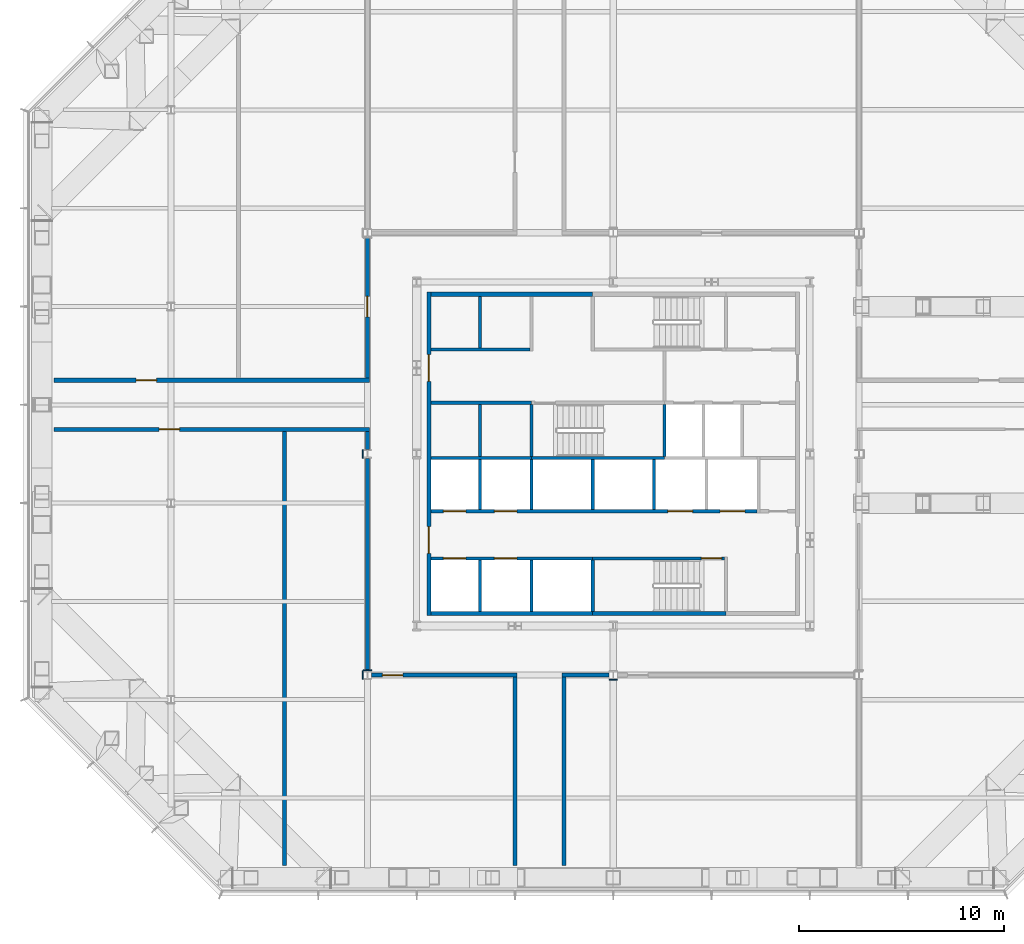
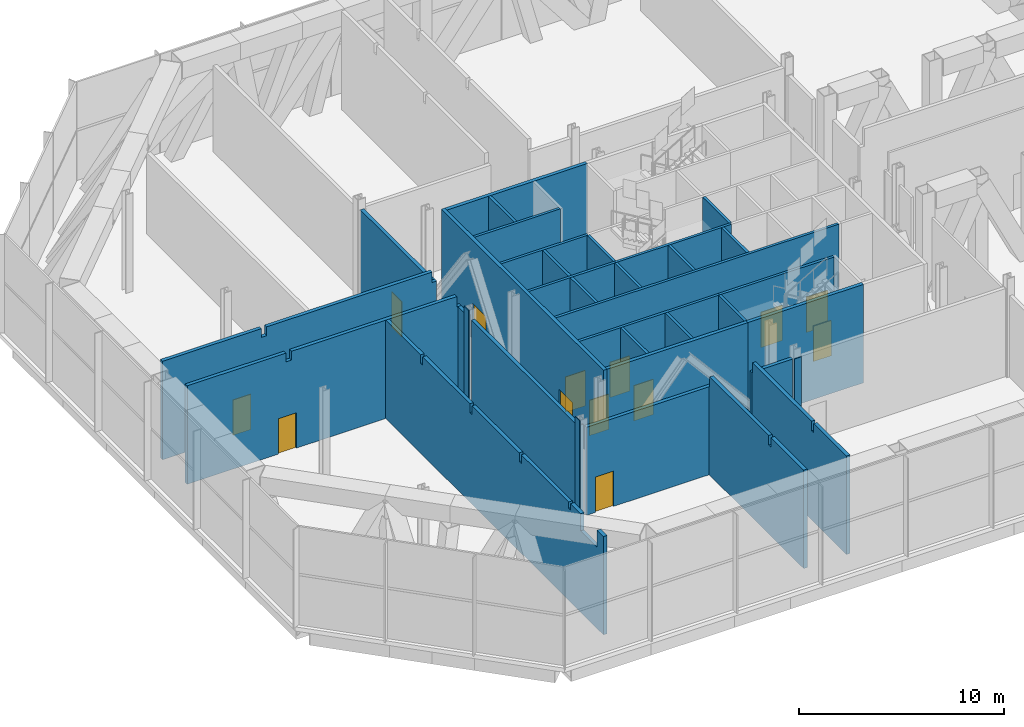
# One storey, part 13 of 17: 36 walls, 13 doors, 13 openings.
"""IFC4 building model written with IfcOpenShell, lengths in metres."""

from ifc_helpers import new_model, si_unit, direction, frame, frame_2d, origin, place, context, subcontext, project, spatial, polyline, rectangle, outline, extrude, material, layer, layer_set, type_object, element, fill, save


model = new_model("IFC4")

# Units and contexts
model_context = context("Model", 3, precision=1e-05, world=origin(), true_north=direction((0.0, 1.0)))
body_context = subcontext(model_context, "Body", "Model", "MODEL_VIEW")
ifc_project = project(units=[si_unit("LENGTHUNIT", "METRE"), si_unit("AREAUNIT", "SQUARE_METRE"), si_unit("VOLUMEUNIT", "CUBIC_METRE"), si_unit("PLANEANGLEUNIT", "RADIAN"), si_unit("MASSUNIT", "GRAM", prefix="KILO")], contexts=[model_context])

# Site, building, storey
site_placement = place(None, origin())
site = spatial("IfcSite", under=ifc_project, at=site_placement, CompositionType="ELEMENT")
building_placement = place(site_placement, origin())
building = spatial("IfcBuilding", under=site, at=building_placement, Name="Cairn Pilgrim Tower", CompositionType="ELEMENT")
storey_placement = place(building_placement, frame((0.0, 0.0, 119.39990234375)))
storey = spatial("IfcBuildingStorey", under=building, at=storey_placement, Name="L29", CompositionType="ELEMENT", Elevation=119.39990234375)

# Walls
ifc_material_1 = material(Name="Concrete C32/40", Category="concrete")
ifc_layer_1 = layer(ifc_material_1, 0.199951171875)
ifc_layer_set_1 = layer_set([ifc_layer_1], Name="CORE OUTER WALL 200 EI 120")
wall_type_1 = type_object("IfcWallType", Name="CORE OUTER WALL 200 EI 120", PredefinedType="SOLIDWALL", material=ifc_layer_set_1)
for number, where, z_axis, x_axis, name in (
    (1, (-1.699951171875, -5.39990234375, 0.0), (0.0, 0.0, 1.0), (1.0, 0.0, 0.0), "CW:L29:H01-1"),
    (2, (-1.699951171875, 10.199951171875, 0.0), (0.0, 0.0, 1.0), (1.0, 0.0, 0.0), "CW:L29:H10-1"),
):
    element("IfcWall", number, at=place(storey_placement, frame(where, z_axis=z_axis, x_axis=x_axis)), inside=storey, type_object=wall_type_1, Name=name, PredefinedType="SOLIDWALL", context=body_context, shape_type="SweptSolid", body=[
        extrude(rectangle(XDim=7.89990234375, YDim=0.199951171875, at=frame_2d((3.949951171875, 0.0))), origin(), (0.0, 0.0, 1.0), 5.85009765625),
    ])

# Wall, openings, doors
wall_1_placement = place(storey_placement, frame((-1.800048828125, -5.5, 0.0), z_axis=(0.0, 0.0, 1.0), x_axis=(0.0, 1.0, 0.0)))
wall_1 = element("IfcWall", 3, at=wall_1_placement, inside=storey, type_object=wall_type_1, Name="CW:L29:V11", PredefinedType="SOLIDWALL", context=body_context, shape_type="SweptSolid", body=[
    extrude(rectangle(XDim=15.800048828125, YDim=0.199951171875, at=frame_2d((7.89990234375, 0.0))), origin(), (0.0, 0.0, 1.0), 5.85009765625),
])
opening_1_placement = place(wall_1_placement, frame((3.050048828125, 0.0, 0.0)))
opening_1 = element("IfcOpeningElement", 4, at=opening_1_placement, cuts=wall_1, Name="Opening CD-W1", PredefinedType="OPENING", context=body_context, shape_type="SweptSolid", body=[
    extrude(rectangle(XDim=1.300048828125, YDim=2.10009765625, at=frame_2d((0.64990234375, 1.050048828125))), frame((0.0, 0.10986328125, 0.0), z_axis=(0.0, -1.0, 0.0), x_axis=(1.0, 0.0, 0.0)), (0.0, 0.0, 1.0), 0.219970703125),
])
opening_2_placement = place(wall_1_placement, frame((11.449951171875, 0.0, 0.0)))
opening_2 = element("IfcOpeningElement", 5, at=opening_2_placement, cuts=wall_1, Name="Opening CD-W2", PredefinedType="OPENING", context=body_context, shape_type="SweptSolid", body=[
    extrude(rectangle(XDim=1.300048828125, YDim=2.10009765625, at=frame_2d((0.64990234375, 1.050048828125))), frame((0.0, 0.10986328125, 0.0), z_axis=(0.0, -1.0, 0.0), x_axis=(1.0, 0.0, 0.0)), (0.0, 0.0, 1.0), 0.219970703125),
])
ifc_material_2 = material(Name="Painted steel", Category="steel")
door_type_1 = type_object("IfcDoorType", Name="CORE LOBBY DOOR 1300x2100", OperationType="DOUBLE_DOOR_SINGLE_SWING", PredefinedType="DOOR", material=ifc_material_2)
door_1_placement = place(opening_1_placement, origin())
door_1 = element("IfcDoor", 6, at=door_1_placement, inside=storey, type_object=door_type_1, Name="CD-W1", OperationType="DOUBLE_DOOR_SINGLE_SWING", OverallHeight=2.10009765625, OverallWidth=1.300048828125, PredefinedType="DOOR", context=body_context, shape_type="SweptSolid", body=[
    extrude(rectangle(XDim=1.300048828125, YDim=2.10009765625, at=frame_2d((0.64990234375, 1.050048828125))), frame((0.0, 0.02490234375, 0.0), z_axis=(0.0, -1.0, 0.0), x_axis=(1.0, 0.0, 0.0)), (0.0, 0.0, 1.0), 0.050048828125),
])
fill(opening_1, door_1)
door_2_placement = place(opening_2_placement, origin())
door_2 = element("IfcDoor", 7, at=door_2_placement, inside=storey, type_object=door_type_1, Name="CD-W2", OperationType="DOUBLE_DOOR_SINGLE_SWING", OverallHeight=2.10009765625, OverallWidth=1.300048828125, PredefinedType="DOOR", context=body_context, shape_type="SweptSolid", body=[
    extrude(rectangle(XDim=1.300048828125, YDim=2.10009765625, at=frame_2d((0.64990234375, 1.050048828125))), frame((0.0, 0.02490234375, 0.0), z_axis=(0.0, -1.0, 0.0), x_axis=(1.0, 0.0, 0.0)), (0.0, 0.0, 1.0), 0.050048828125),
])
fill(opening_2, door_2)

ifc_layer_2 = layer(ifc_material_1, 0.14990234375)
ifc_layer_set_2 = layer_set([ifc_layer_2], Name="CORE SHAFT WALL 150 EI 120")
wall_type_2 = type_object("IfcWallType", Name="CORE SHAFT WALL 150 EI 120", PredefinedType="SOLIDWALL", material=ifc_layer_set_2)
wall_2_placement = place(storey_placement, frame((-1.699951171875, -2.699951171875, 0.0), z_axis=(0.0, 0.0, 1.0), x_axis=(1.0, 0.0, 0.0)))
wall_2 = element("IfcWall", 8, at=wall_2_placement, inside=storey, type_object=wall_type_2, Name="CW:L29:H02-1", PredefinedType="SOLIDWALL", context=body_context, shape_type="SweptSolid", body=[
    extrude(rectangle(XDim=7.89990234375, YDim=0.14990234375, at=frame_2d((3.949951171875, 0.0))), origin(), (0.0, 0.0, 1.0), 5.85009765625),
])
opening_3_placement = place(wall_2_placement, frame((0.60009765625, 0.0, 0.0)))
opening_3 = element("IfcOpeningElement", 9, at=opening_3_placement, cuts=wall_2, Name="Opening LD-LR1", PredefinedType="OPENING", context=body_context, shape_type="SweptSolid", body=[
    extrude(rectangle(XDim=1.10009765625, YDim=2.10009765625, at=frame_2d((0.550048828125, 1.050048828125))), frame((0.0, 0.0849609375, 0.0), z_axis=(0.0, -1.0, 0.0), x_axis=(1.0, 0.0, 0.0)), (0.0, 0.0, 1.0), 0.169921875),
])
opening_4_placement = place(wall_2_placement, frame((3.10009765625, 0.0, 0.0)))
opening_4 = element("IfcOpeningElement", 10, at=opening_4_placement, cuts=wall_2, Name="Opening LD-LR2", PredefinedType="OPENING", context=body_context, shape_type="SweptSolid", body=[
    extrude(rectangle(XDim=1.10009765625, YDim=2.10009765625, at=frame_2d((0.550048828125, 1.050048828125))), frame((0.0, 0.0849609375, 0.0), z_axis=(0.0, -1.0, 0.0), x_axis=(1.0, 0.0, 0.0)), (0.0, 0.0, 1.0), 0.169921875),
])
ifc_material_3 = material(Name="Stainless steel", Category="steel")
door_type_2 = type_object("IfcDoorType", Name="LIFT LANDING DOOR 1100x2100", OperationType="DOUBLE_DOOR_SLIDING", PredefinedType="DOOR", material=ifc_material_3)
door_3_placement = place(opening_3_placement, origin())
door_3 = element("IfcDoor", 11, at=door_3_placement, inside=storey, type_object=door_type_2, Name="LANDING DOOR LR1", OperationType="DOUBLE_DOOR_SLIDING", OverallHeight=2.10009765625, OverallWidth=1.10009765625, PredefinedType="DOOR", context=body_context, shape_type="SweptSolid", body=[
    extrude(rectangle(XDim=1.10009765625, YDim=2.10009765625, at=frame_2d((0.550048828125, 1.050048828125))), frame((0.0, 0.02490234375, 0.0), z_axis=(0.0, -1.0, 0.0), x_axis=(1.0, 0.0, 0.0)), (0.0, 0.0, 1.0), 0.050048828125),
])
fill(opening_3, door_3)
door_4_placement = place(opening_4_placement, origin())
door_4 = element("IfcDoor", 12, at=door_4_placement, inside=storey, type_object=door_type_2, Name="LANDING DOOR LR2", OperationType="DOUBLE_DOOR_SLIDING", OverallHeight=2.10009765625, OverallWidth=1.10009765625, PredefinedType="DOOR", context=body_context, shape_type="SweptSolid", body=[
    extrude(rectangle(XDim=1.10009765625, YDim=2.10009765625, at=frame_2d((0.550048828125, 1.050048828125))), frame((0.0, 0.02490234375, 0.0), z_axis=(0.0, -1.0, 0.0), x_axis=(1.0, 0.0, 0.0)), (0.0, 0.0, 1.0), 0.050048828125),
])
fill(opening_4, door_4)

wall_3_placement = place(storey_placement, frame((-1.699951171875, -0.39990234375, 0.0), z_axis=(0.0, 0.0, 1.0), x_axis=(1.0, 0.0, 0.0)))
wall_3 = element("IfcWall", 13, at=wall_3_placement, inside=storey, type_object=wall_type_2, Name="CW:L29:H03", PredefinedType="SOLIDWALL", context=body_context, shape_type="SweptSolid", body=[
    extrude(rectangle(XDim=15.925048828125, YDim=0.14990234375, at=frame_2d((7.96240234375, 0.0))), origin(), (0.0, 0.0, 1.0), 5.85009765625),
])
opening_5_placement = place(wall_3_placement, frame((0.60009765625, 0.0, 0.0)))
opening_5 = element("IfcOpeningElement", 14, at=opening_5_placement, cuts=wall_3, Name="Opening LD-LR3", PredefinedType="OPENING", context=body_context, shape_type="SweptSolid", body=[
    extrude(rectangle(XDim=1.10009765625, YDim=2.10009765625, at=frame_2d((0.550048828125, 1.050048828125))), frame((0.0, 0.0849609375, 0.0), z_axis=(0.0, -1.0, 0.0), x_axis=(1.0, 0.0, 0.0)), (0.0, 0.0, 1.0), 0.169921875),
])
opening_6_placement = place(wall_3_placement, frame((3.10009765625, 0.0, 0.0)))
opening_6 = element("IfcOpeningElement", 15, at=opening_6_placement, cuts=wall_3, Name="Opening LD-LR4", PredefinedType="OPENING", context=body_context, shape_type="SweptSolid", body=[
    extrude(rectangle(XDim=1.10009765625, YDim=2.10009765625, at=frame_2d((0.550048828125, 1.050048828125))), frame((0.0, 0.0849609375, 0.0), z_axis=(0.0, -1.0, 0.0), x_axis=(1.0, 0.0, 0.0)), (0.0, 0.0, 1.0), 0.169921875),
])
opening_7_placement = place(wall_3_placement, frame((11.574951171875, 0.0, 0.0)))
opening_7 = element("IfcOpeningElement", 16, at=opening_7_placement, cuts=wall_3, Name="Opening LD-SV1", PredefinedType="OPENING", context=body_context, shape_type="SweptSolid", body=[
    extrude(rectangle(XDim=1.199951171875, YDim=2.10009765625, at=frame_2d((0.60009765625, 1.050048828125))), frame((0.0, 0.0849609375, 0.0), z_axis=(0.0, -1.0, 0.0), x_axis=(1.0, 0.0, 0.0)), (0.0, 0.0, 1.0), 0.169921875),
])
opening_8_placement = place(wall_3_placement, frame((14.125, 0.0, 0.0)))
opening_8 = element("IfcOpeningElement", 17, at=opening_8_placement, cuts=wall_3, Name="Opening LD-SV2", PredefinedType="OPENING", context=body_context, shape_type="SweptSolid", body=[
    extrude(rectangle(XDim=1.199951171875, YDim=2.10009765625, at=frame_2d((0.60009765625, 1.050048828125))), frame((0.0, 0.0849609375, 0.0), z_axis=(0.0, -1.0, 0.0), x_axis=(1.0, 0.0, 0.0)), (0.0, 0.0, 1.0), 0.169921875),
])
door_5_placement = place(opening_5_placement, origin())
door_5 = element("IfcDoor", 18, at=door_5_placement, inside=storey, type_object=door_type_2, Name="LANDING DOOR LR3", OperationType="DOUBLE_DOOR_SLIDING", OverallHeight=2.10009765625, OverallWidth=1.10009765625, PredefinedType="DOOR", context=body_context, shape_type="SweptSolid", body=[
    extrude(rectangle(XDim=1.10009765625, YDim=2.10009765625, at=frame_2d((0.550048828125, 1.050048828125))), frame((0.0, 0.02490234375, 0.0), z_axis=(0.0, -1.0, 0.0), x_axis=(1.0, 0.0, 0.0)), (0.0, 0.0, 1.0), 0.050048828125),
])
fill(opening_5, door_5)
door_6_placement = place(opening_6_placement, origin())
door_6 = element("IfcDoor", 19, at=door_6_placement, inside=storey, type_object=door_type_2, Name="LANDING DOOR LR4", OperationType="DOUBLE_DOOR_SLIDING", OverallHeight=2.10009765625, OverallWidth=1.10009765625, PredefinedType="DOOR", context=body_context, shape_type="SweptSolid", body=[
    extrude(rectangle(XDim=1.10009765625, YDim=2.10009765625, at=frame_2d((0.550048828125, 1.050048828125))), frame((0.0, 0.02490234375, 0.0), z_axis=(0.0, -1.0, 0.0), x_axis=(1.0, 0.0, 0.0)), (0.0, 0.0, 1.0), 0.050048828125),
])
fill(opening_6, door_6)
door_type_3 = type_object("IfcDoorType", Name="LIFT LANDING DOOR 1200x2100", OperationType="DOUBLE_DOOR_SLIDING", PredefinedType="DOOR", material=ifc_material_3)
door_7_placement = place(opening_7_placement, origin())
door_7 = element("IfcDoor", 20, at=door_7_placement, inside=storey, type_object=door_type_3, Name="LANDING DOOR SV1", OperationType="DOUBLE_DOOR_SLIDING", OverallHeight=2.10009765625, OverallWidth=1.199951171875, PredefinedType="DOOR", context=body_context, shape_type="SweptSolid", body=[
    extrude(rectangle(XDim=1.199951171875, YDim=2.10009765625, at=frame_2d((0.60009765625, 1.050048828125))), frame((0.0, 0.02490234375, 0.0), z_axis=(0.0, -1.0, 0.0), x_axis=(1.0, 0.0, 0.0)), (0.0, 0.0, 1.0), 0.050048828125),
])
fill(opening_7, door_7)
door_8_placement = place(opening_8_placement, origin())
door_8 = element("IfcDoor", 21, at=door_8_placement, inside=storey, type_object=door_type_3, Name="LANDING DOOR SV2", OperationType="DOUBLE_DOOR_SLIDING", OverallHeight=2.10009765625, OverallWidth=1.199951171875, PredefinedType="DOOR", context=body_context, shape_type="SweptSolid", body=[
    extrude(rectangle(XDim=1.199951171875, YDim=2.10009765625, at=frame_2d((0.60009765625, 1.050048828125))), frame((0.0, 0.02490234375, 0.0), z_axis=(0.0, -1.0, 0.0), x_axis=(1.0, 0.0, 0.0)), (0.0, 0.0, 1.0), 0.050048828125),
])
fill(opening_8, door_8)

# Walls
for number, where, z_axis, x_axis, name in (
    (22, (-1.699951171875, 2.199951171875, 0.0), (0.0, 0.0, 1.0), (1.0, 0.0, 0.0), "CW:L29:H05-1"),
    (23, (-1.699951171875, 4.89990234375, 0.0), (0.0, 0.0, 1.0), (1.0, 0.0, 0.0), "CW:L29:H07-1"),
):
    element("IfcWall", number, at=place(storey_placement, frame(where, z_axis=z_axis, x_axis=x_axis)), inside=storey, type_object=wall_type_2, Name=name, PredefinedType="SOLIDWALL", context=body_context, shape_type="SweptSolid", body=[
        extrude(rectangle(XDim=4.89990234375, YDim=0.14990234375, at=frame_2d((2.449951171875, 0.0))), origin(), (0.0, 0.0, 1.0), 5.85009765625),
    ])
wall_4_placement = place(storey_placement, frame((-1.699951171875, 7.5, 0.0), z_axis=(0.0, 0.0, 1.0), x_axis=(1.0, 0.0, 0.0)))
element("IfcWall", 24, at=wall_4_placement, inside=storey, type_object=wall_type_2, Name="CW:L29:H08", PredefinedType="SOLIDWALL", context=body_context, shape_type="SweptSolid", body=[
    extrude(rectangle(XDim=4.824951171875, YDim=0.14990234375, at=frame_2d((2.41259765625, 0.0))), origin(), (0.0, 0.0, 1.0), 5.85009765625),
])
wall_5_placement = place(storey_placement, frame((0.699951171875, -5.300048828125, 0.0), z_axis=(0.0, 0.0, 1.0), x_axis=(0.0, 1.0, 0.0)))
element("IfcWall", 25, at=wall_5_placement, inside=storey, type_object=wall_type_2, Name="CW:L29:V12", PredefinedType="SOLIDWALL", context=body_context, shape_type="SweptSolid", body=[
    extrude(rectangle(XDim=2.525146484375, YDim=0.14990234375, at=frame_2d((1.2626953125, 0.0))), origin(), (0.0, 0.0, 1.0), 5.85009765625),
])
wall_6_placement = place(storey_placement, frame((0.699951171875, -0.324951171875, 0.0), z_axis=(0.0, 0.0, 1.0), x_axis=(0.0, 1.0, 0.0)))
element("IfcWall", 26, at=wall_6_placement, inside=storey, type_object=wall_type_2, Name="CW:L29:V13", PredefinedType="SOLIDWALL", context=body_context, shape_type="SweptSolid", body=[
    extrude(rectangle(XDim=2.449951171875, YDim=0.14990234375, at=frame_2d((1.22509765625, 0.0))), origin(), (0.0, 0.0, 1.0), 5.85009765625),
])
wall_7_placement = place(storey_placement, frame((0.699951171875, 2.27490234375, 0.0), z_axis=(0.0, 0.0, 1.0), x_axis=(0.0, 1.0, 0.0)))
element("IfcWall", 27, at=wall_7_placement, inside=storey, type_object=wall_type_2, Name="CW:L29:V14", PredefinedType="SOLIDWALL", context=body_context, shape_type="SweptSolid", body=[
    extrude(rectangle(XDim=2.550048828125, YDim=0.14990234375, at=frame_2d((1.27490234375, 0.0))), origin(), (0.0, 0.0, 1.0), 5.85009765625),
])
for number, where, z_axis, x_axis, name in (
    (28, (0.699951171875, 7.574951171875, 0.0), (0.0, 0.0, 1.0), (0.0, 1.0, 0.0), "CW:L29:V15"),
    (29, (3.199951171875, -5.300048828125, 0.0), (0.0, 0.0, 1.0), (0.0, 1.0, 0.0), "CW:L29:V16"),
):
    element("IfcWall", number, at=place(storey_placement, frame(where, z_axis=z_axis, x_axis=x_axis)), inside=storey, type_object=wall_type_2, Name=name, PredefinedType="SOLIDWALL", context=body_context, shape_type="SweptSolid", body=[
        extrude(rectangle(XDim=2.525146484375, YDim=0.14990234375, at=frame_2d((1.2626953125, 0.0))), origin(), (0.0, 0.0, 1.0), 5.85009765625),
    ])
for number, where, z_axis, x_axis, name in (
    (30, (3.199951171875, -0.324951171875, 0.0), (0.0, 0.0, 1.0), (0.0, 1.0, 0.0), "CW:L29:V17"),
    (31, (6.199951171875, -0.324951171875, 0.0), (0.0, 0.0, 1.0), (0.0, 1.0, 0.0), "CW:L29:V21"),
    (32, (9.199951171875, -0.324951171875, 0.0), (0.0, 0.0, 1.0), (0.0, 1.0, 0.0), "CW:L29:V23"),
):
    element("IfcWall", number, at=place(storey_placement, frame(where, z_axis=z_axis, x_axis=x_axis)), inside=storey, type_object=wall_type_2, Name=name, PredefinedType="SOLIDWALL", context=body_context, shape_type="SweptSolid", body=[
        extrude(rectangle(XDim=2.449951171875, YDim=0.14990234375, at=frame_2d((1.22509765625, 0.0))), origin(), (0.0, 0.0, 1.0), 5.85009765625),
    ])
ifc_material_4 = material(Name="Gypsum partition")
ifc_layer_3 = layer(ifc_material_4, 0.050048828125)
ifc_layer_set_3 = layer_set([ifc_layer_3], Name="PARTITION 50 DRYWALL EI 120")
wall_type_3 = type_object("IfcWallType", Name="PARTITION 50 DRYWALL EI 120", PredefinedType="PARTITIONING", material=ifc_layer_set_3)
wall_8_placement = place(storey_placement, frame((-5.00439453125, -8.16259765625, 0.0), z_axis=(0.0, 0.0, 1.0), x_axis=(1.0, 0.0, 0.0)))
element("IfcWall", 33, at=wall_8_placement, inside=storey, type_object=wall_type_3, Name="COLUMN CASING WC02", PredefinedType="PARTITIONING", context=body_context, shape_type="SweptSolid", body=[
    extrude(rectangle(XDim=0.408935546875, YDim=0.050048828125, at=frame_2d((0.20458984375, 0.0))), origin(), (0.0, 0.0, 1.0), 5.22998046875),
])
wall_9_placement = place(storey_placement, frame((6.99560546875, -8.637451171875, 0.0), z_axis=(0.0, 0.0, 1.0), x_axis=(1.0, 0.0, 0.0)))
element("IfcWall", 34, at=wall_9_placement, inside=storey, type_object=wall_type_3, Name="COLUMN CASING WC03", PredefinedType="PARTITIONING", context=body_context, shape_type="SweptSolid", body=[
    extrude(rectangle(XDim=0.408935546875, YDim=0.050048828125, at=frame_2d((0.20458984375, 0.0))), origin(), (0.0, 0.0, 1.0), 5.330078125),
])
for number, where, z_axis, x_axis, name in (
    (35, (-5.029541015625, -8.612548828125, 0.0), (0.0, 0.0, 1.0), (0.0, 1.0, 0.0), "COLUMN CASING WC05"),
    (36, (-5.029541015625, 2.1875, 0.0), (0.0, 0.0, 1.0), (0.0, 1.0, 0.0), "COLUMN CASING WC06"),
):
    element("IfcWall", number, at=place(storey_placement, frame(where, z_axis=z_axis, x_axis=x_axis)), inside=storey, type_object=wall_type_3, Name=name, PredefinedType="PARTITIONING", context=body_context, shape_type="SweptSolid", body=[
        extrude(rectangle(XDim=0.425048828125, YDim=0.050048828125, at=frame_2d((0.21240234375, 0.0))), origin(), (0.0, 0.0, 1.0), 5.85009765625),
    ])
ifc_layer_4 = layer(ifc_material_4, 0.199951171875)
ifc_layer_set_4 = layer_set([ifc_layer_4], Name="SHAFT WALL 200 GYPSUM EI 120")
wall_type_4 = type_object("IfcWallType", Name="SHAFT WALL 200 GYPSUM EI 120", PredefinedType="PARTITIONING", material=ifc_layer_set_4)
wall_10_placement = place(storey_placement, frame((-8.85009765625, -17.699951171875, 0.0), z_axis=(0.0, 0.0, 1.0), x_axis=(0.0, 1.0, 0.0)))
element("IfcWall", 37, at=wall_10_placement, inside=storey, type_object=wall_type_4, Name="PARTITION W001", PredefinedType="PARTITIONING", context=body_context, shape_type="SweptSolid", body=[
    extrude(outline(polyline([(0.0, 0.0), (21.199951171875, 0.0), (21.199951171875, 5.85009765625), (17.800048828125, 5.85009765625), (17.798095703125, 5.330078125), (17.60009765625, 5.330078125), (17.597900390625, 5.85009765625), (13.0, 5.85009765625), (12.998046875, 5.330078125), (12.800048828125, 5.330078125), (12.798095703125, 5.85009765625), (8.199951171875, 5.85009765625), (8.197998046875, 5.330078125), (8.0, 5.330078125), (7.998046875, 5.85009765625), (3.385009765625, 5.85009765625), (3.383056640625, 5.47021484375), (3.215087890625, 5.47021484375), (3.212890625, 5.85009765625), (2.22998046875, 5.85009765625), (2.227783203125, 4.830078125), (0.61572265625, 4.830078125), (0.61376953125, 5.85009765625), (0.0, 5.85009765625), (0.0, 0.0)])), frame((0.0, 0.10009765625, 0.0), z_axis=(0.0, -1.0, 0.0), x_axis=(1.0, 0.0, 0.0)), (0.0, 0.0, 1.0), 0.199951171875),
])
for number, where, z_axis, x_axis, name in (
    (38, (2.39990234375, -17.699951171875, 0.0), (0.0, 0.0, 1.0), (0.0, 1.0, 0.0), "PARTITION W002"),
    (39, (4.800048828125, -17.699951171875, 0.0), (0.0, 0.0, 1.0), (0.0, 1.0, 0.0), "PARTITION W003"),
):
    element("IfcWall", number, at=place(storey_placement, frame(where, z_axis=z_axis, x_axis=x_axis)), inside=storey, type_object=wall_type_4, Name=name, PredefinedType="PARTITIONING", context=body_context, shape_type="SweptSolid", body=[
        extrude(outline(polyline([(0.0, 0.0), (9.199951171875, 0.0), (9.199951171875, 5.22998046875), (9.14990234375, 5.22998046875), (9.14794921875, 5.85009765625), (3.405029296875, 5.85009765625), (3.403076171875, 5.280029296875), (3.195068359375, 5.280029296875), (3.193115234375, 5.85009765625), (0.0, 5.85009765625), (0.0, 0.0)])), frame((0.0, 0.10009765625, 0.0), z_axis=(0.0, -1.0, 0.0), x_axis=(1.0, 0.0, 0.0)), (0.0, 0.0, 1.0), 0.199951171875),
    ])

# Wall, opening, door
wall_11_placement = place(storey_placement, frame((-4.595458984375, -8.39990234375, 0.0), z_axis=(0.0, 0.0, 1.0), x_axis=(1.0, 0.0, 0.0)))
wall_11 = element("IfcWall", 40, at=wall_11_placement, inside=storey, type_object=wall_type_4, Name="PARTITION W005", PredefinedType="PARTITIONING", context=body_context, shape_type="SweptSolid", body=[
    extrude(rectangle(XDim=7.095458984375, YDim=0.199951171875, at=frame_2d((3.5478515625, 0.0))), origin(), (0.0, 0.0, 1.0), 5.22998046875),
])
opening_9_placement = place(wall_11_placement, frame((0.5205078125, 0.0, 0.0)))
opening_9 = element("IfcOpeningElement", 41, at=opening_9_placement, cuts=wall_11, Name="Opening 2908", PredefinedType="OPENING", context=body_context, shape_type="SweptSolid", body=[
    extrude(rectangle(XDim=1.0, YDim=2.10009765625, at=frame_2d((0.5, 1.050048828125))), frame((0.0, 0.10986328125, 0.0), z_axis=(0.0, -1.0, 0.0), x_axis=(1.0, 0.0, 0.0)), (0.0, 0.0, 1.0), 0.219970703125),
])
ifc_material_5 = material(Name="Steel-faced fire door leaf", Category="steel")
door_type_4 = type_object("IfcDoorType", Name="FIRE DOOR 1000x2100 FD60S", OperationType="NOTDEFINED", PredefinedType="DOOR", material=ifc_material_5)
door_9_placement = place(opening_9_placement, origin())
door_9 = element("IfcDoor", 42, at=door_9_placement, inside=storey, type_object=door_type_4, Name="DOOR 2908", OperationType="SINGLE_SWING_RIGHT", OverallHeight=2.10009765625, OverallWidth=1.0, PredefinedType="DOOR", context=body_context, shape_type="SweptSolid", body=[
    extrude(rectangle(XDim=1.0, YDim=2.10009765625, at=frame_2d((0.5, 1.050048828125))), frame((0.0, 0.02490234375, 0.0), z_axis=(0.0, -1.0, 0.0), x_axis=(1.0, 0.0, 0.0)), (0.0, 0.0, 1.0), 0.050048828125),
])
fill(opening_9, door_9)

# Walls
wall_12_placement = place(storey_placement, frame((4.699951171875, -8.39990234375, 0.0), z_axis=(0.0, 0.0, 1.0), x_axis=(1.0, 0.0, 0.0)))
element("IfcWall", 43, at=wall_12_placement, inside=storey, type_object=wall_type_4, Name="PARTITION W006", PredefinedType="PARTITIONING", context=body_context, shape_type="SweptSolid", body=[
    extrude(rectangle(XDim=2.295654296875, YDim=0.199951171875, at=frame_2d((1.14794921875, 0.0))), origin(), (0.0, 0.0, 1.0), 5.22998046875),
])
wall_13_placement = place(storey_placement, frame((-4.800048828125, -8.1875, 0.0), z_axis=(0.0, 0.0, 1.0), x_axis=(0.0, 1.0, 0.0)))
element("IfcWall", 44, at=wall_13_placement, inside=storey, type_object=wall_type_4, Name="PARTITION W008", PredefinedType="PARTITIONING", context=body_context, shape_type="SweptSolid", body=[
    extrude(rectangle(XDim=10.375, YDim=0.199951171875, at=frame_2d((5.1875, 0.0))), origin(), (0.0, 0.0, 1.0), 5.22998046875),
])
wall_14_placement = place(storey_placement, frame((-4.800048828125, 2.612548828125, 0.0), z_axis=(0.0, 0.0, 1.0), x_axis=(0.0, 1.0, 0.0)))
element("IfcWall", 45, at=wall_14_placement, inside=storey, type_object=wall_type_4, Name="PARTITION W011", PredefinedType="PARTITIONING", context=body_context, shape_type="SweptSolid", body=[
    extrude(rectangle(XDim=0.887451171875, YDim=0.199951171875, at=frame_2d((0.44384765625, 0.0))), origin(), (0.0, 0.0, 1.0), 5.22998046875),
])

# Wall, opening, door
wall_15_placement = place(storey_placement, frame((-20.10009765625, 3.60009765625, 0.0), z_axis=(0.0, 0.0, 1.0), x_axis=(1.0, 0.0, 0.0)))
wall_15 = element("IfcWall", 46, at=wall_15_placement, inside=storey, type_object=wall_type_4, Name="PARTITION W013", PredefinedType="PARTITIONING", context=body_context, shape_type="SweptSolid", body=[
    extrude(outline(polyline([(0.0, 0.0), (15.400146484375, 0.0), (15.39990234375, 5.22998046875), (15.14990234375, 5.22998046875), (15.14794921875, 5.85009765625), (5.85009765625, 5.85009765625), (5.847900390625, 5.330078125), (5.550048828125, 5.330078125), (5.548095703125, 5.85009765625), (0.0, 5.85009765625), (0.0, 0.0)])), frame((0.0, 0.10009765625, 0.0), z_axis=(0.0, -1.0, 0.0), x_axis=(1.0, 0.0, 0.0)), (0.0, 0.0, 1.0), 0.199951171875),
])
opening_10_placement = place(wall_15_placement, frame((5.125, 0.0, 0.0)))
opening_10 = element("IfcOpeningElement", 47, at=opening_10_placement, cuts=wall_15, Name="Opening 2907", PredefinedType="OPENING", context=body_context, shape_type="SweptSolid", body=[
    extrude(rectangle(XDim=1.0, YDim=2.10009765625, at=frame_2d((0.5, 1.050048828125))), frame((0.0, 0.10986328125, 0.0), z_axis=(0.0, -1.0, 0.0), x_axis=(1.0, 0.0, 0.0)), (0.0, 0.0, 1.0), 0.219970703125),
])
door_10_placement = place(opening_10_placement, origin())
door_10 = element("IfcDoor", 48, at=door_10_placement, inside=storey, type_object=door_type_4, Name="DOOR 2907", OperationType="SINGLE_SWING_RIGHT", OverallHeight=2.10009765625, OverallWidth=1.0, PredefinedType="DOOR", context=body_context, shape_type="SweptSolid", body=[
    extrude(rectangle(XDim=1.0, YDim=2.10009765625, at=frame_2d((0.5, 1.050048828125))), frame((0.0, 0.02490234375, 0.0), z_axis=(0.0, -1.0, 0.0), x_axis=(1.0, 0.0, 0.0)), (0.0, 0.0, 1.0), 0.050048828125),
])
fill(opening_10, door_10)

wall_16_placement = place(storey_placement, frame((-20.10009765625, 6.0, 0.0), z_axis=(0.0, 0.0, 1.0), x_axis=(1.0, 0.0, 0.0)))
wall_16 = element("IfcWall", 49, at=wall_16_placement, inside=storey, type_object=wall_type_4, Name="PARTITION W015", PredefinedType="PARTITIONING", context=body_context, shape_type="SweptSolid", body=[
    extrude(outline(polyline([(0.0, 0.0), (15.400146484375, 0.0), (15.39990234375, 5.22998046875), (15.14990234375, 5.22998046875), (15.14794921875, 5.85009765625), (5.85009765625, 5.85009765625), (5.847900390625, 5.330078125), (5.550048828125, 5.330078125), (5.548095703125, 5.85009765625), (0.0, 5.85009765625), (0.0, 0.0)])), frame((0.0, 0.10009765625, 0.0), z_axis=(0.0, -1.0, 0.0), x_axis=(1.0, 0.0, 0.0)), (0.0, 0.0, 1.0), 0.199951171875),
])
opening_11_placement = place(wall_16_placement, frame((4.0, 0.0, 0.0)))
opening_11 = element("IfcOpeningElement", 50, at=opening_11_placement, cuts=wall_16, Name="Opening 2901", PredefinedType="OPENING", context=body_context, shape_type="SweptSolid", body=[
    extrude(rectangle(XDim=1.0, YDim=2.10009765625, at=frame_2d((0.5, 1.050048828125))), frame((0.0, 0.10986328125, 0.0), z_axis=(0.0, -1.0, 0.0), x_axis=(1.0, 0.0, 0.0)), (0.0, 0.0, 1.0), 0.219970703125),
])
door_11_placement = place(opening_11_placement, frame((1.0, 0.0, 0.0), z_axis=(0.0, 0.0, 1.0), x_axis=(-1.0, 0.0, 0.0)))
door_11 = element("IfcDoor", 51, at=door_11_placement, inside=storey, type_object=door_type_4, Name="DOOR 2901", OperationType="SINGLE_SWING_RIGHT", OverallHeight=2.10009765625, OverallWidth=1.0, PredefinedType="DOOR", context=body_context, shape_type="SweptSolid", body=[
    extrude(rectangle(XDim=1.0, YDim=2.10009765625, at=frame_2d((0.5, 1.050048828125))), frame((0.0, 0.02490234375, 0.0), z_axis=(0.0, -1.0, 0.0), x_axis=(1.0, 0.0, 0.0)), (0.0, 0.0, 1.0), 0.050048828125),
])
fill(opening_11, door_11)

wall_17_placement = place(storey_placement, frame((-4.800048828125, 6.10009765625, 0.0), z_axis=(0.0, 0.0, 1.0), x_axis=(0.0, 1.0, 0.0)))
wall_17 = element("IfcWall", 52, at=wall_17_placement, inside=storey, type_object=wall_type_4, Name="PARTITION W018", PredefinedType="PARTITIONING", context=body_context, shape_type="SweptSolid", body=[
    extrude(rectangle(XDim=6.887451171875, YDim=0.199951171875, at=frame_2d((3.44384765625, 0.0))), origin(), (0.0, 0.0, 1.0), 5.22998046875),
])
opening_12_placement = place(wall_17_placement, frame((3.0, 0.0, 0.0)))
opening_12 = element("IfcOpeningElement", 53, at=opening_12_placement, cuts=wall_17, Name="Opening 2902", PredefinedType="OPENING", context=body_context, shape_type="SweptSolid", body=[
    extrude(rectangle(XDim=1.0, YDim=2.10009765625, at=frame_2d((0.5, 1.050048828125))), frame((0.0, 0.10986328125, 0.0), z_axis=(0.0, -1.0, 0.0), x_axis=(1.0, 0.0, 0.0)), (0.0, 0.0, 1.0), 0.219970703125),
])
door_12_placement = place(opening_12_placement, frame((1.0, 0.0, 0.0), z_axis=(0.0, 0.0, 1.0), x_axis=(-1.0, 0.0, 0.0)))
door_12 = element("IfcDoor", 54, at=door_12_placement, inside=storey, type_object=door_type_4, Name="DOOR 2902", OperationType="SINGLE_SWING_LEFT", OverallHeight=2.10009765625, OverallWidth=1.0, PredefinedType="DOOR", context=body_context, shape_type="SweptSolid", body=[
    extrude(rectangle(XDim=1.0, YDim=2.10009765625, at=frame_2d((0.5, 1.050048828125))), frame((0.0, 0.02490234375, 0.0), z_axis=(0.0, -1.0, 0.0), x_axis=(1.0, 0.0, 0.0)), (0.0, 0.0, 1.0), 0.050048828125),
])
fill(opening_12, door_12)

ifc_material_6 = material(Name="Concrete C35/45", Category="concrete")
ifc_layer_5 = layer(ifc_material_6, 0.14990234375)
ifc_layer_set_5 = layer_set([ifc_layer_5], Name="STAIR SHAFT WALL 150 EI 120")
wall_type_5 = type_object("IfcWallType", Name="STAIR SHAFT WALL 150 EI 120", PredefinedType="SOLIDWALL", material=ifc_layer_set_5)
wall_18_placement = place(storey_placement, frame((6.199951171875, -2.699951171875, 0.0), z_axis=(0.0, 0.0, 1.0), x_axis=(1.0, 0.0, 0.0)))
wall_18 = element("IfcWall", 55, at=wall_18_placement, inside=storey, type_object=wall_type_5, Name="CW:L29:H02-2", PredefinedType="SOLIDWALL", context=body_context, shape_type="SweptSolid", body=[
    extrude(rectangle(XDim=6.425048828125, YDim=0.14990234375, at=frame_2d((3.21240234375, 0.0))), origin(), (0.0, 0.0, 1.0), 5.85009765625),
])
opening_13_placement = place(wall_18_placement, frame((5.300048828125, 0.0, 0.0)))
opening_13 = element("IfcOpeningElement", 56, at=opening_13_placement, cuts=wall_18, Name="Opening SD-A", PredefinedType="OPENING", context=body_context, shape_type="SweptSolid", body=[
    extrude(rectangle(XDim=1.0, YDim=2.10009765625, at=frame_2d((0.5, 1.050048828125))), frame((0.0, 0.0849609375, 0.0), z_axis=(0.0, -1.0, 0.0), x_axis=(1.0, 0.0, 0.0)), (0.0, 0.0, 1.0), 0.169921875),
])
door_type_5 = type_object("IfcDoorType", Name="STAIR DOOR FD60S 1000x2100", OperationType="SINGLE_SWING_LEFT", PredefinedType="DOOR", material=ifc_material_2)
door_13_placement = place(opening_13_placement, origin())
door_13 = element("IfcDoor", 57, at=door_13_placement, inside=storey, type_object=door_type_5, Name="SD-A", OperationType="SINGLE_SWING_RIGHT", OverallHeight=2.10009765625, OverallWidth=1.0, PredefinedType="DOOR", context=body_context, shape_type="SweptSolid", body=[
    extrude(rectangle(XDim=1.0, YDim=2.10009765625, at=frame_2d((0.5, 1.050048828125))), frame((0.0, 0.02490234375, 0.0), z_axis=(0.0, -1.0, 0.0), x_axis=(1.0, 0.0, 0.0)), (0.0, 0.0, 1.0), 0.050048828125),
])
fill(opening_13, door_13)

# Walls
wall_19_placement = place(storey_placement, frame((3.199951171875, 2.199951171875, 0.0), z_axis=(0.0, 0.0, 1.0), x_axis=(1.0, 0.0, 0.0)))
element("IfcWall", 58, at=wall_19_placement, inside=storey, type_object=wall_type_5, Name="CW:L29:H05-2", PredefinedType="SOLIDWALL", context=body_context, shape_type="SweptSolid", body=[
    extrude(rectangle(XDim=6.5, YDim=0.14990234375, at=frame_2d((3.25, 0.0))), origin(), (0.0, 0.0, 1.0), 5.85009765625),
])
wall_20_placement = place(storey_placement, frame((3.199951171875, 2.27490234375, 0.0), z_axis=(0.0, 0.0, 1.0), x_axis=(0.0, 1.0, 0.0)))
element("IfcWall", 59, at=wall_20_placement, inside=storey, type_object=wall_type_5, Name="CW:L29:V18", PredefinedType="SOLIDWALL", context=body_context, shape_type="SweptSolid", body=[
    extrude(rectangle(XDim=2.550048828125, YDim=0.14990234375, at=frame_2d((1.27490234375, 0.0))), origin(), (0.0, 0.0, 1.0), 5.85009765625),
])
wall_21_placement = place(storey_placement, frame((6.199951171875, -5.300048828125, 0.0), z_axis=(0.0, 0.0, 1.0), x_axis=(0.0, 1.0, 0.0)))
element("IfcWall", 60, at=wall_21_placement, inside=storey, type_object=wall_type_5, Name="CW:L29:V20", PredefinedType="SOLIDWALL", context=body_context, shape_type="SweptSolid", body=[
    extrude(rectangle(XDim=2.525146484375, YDim=0.14990234375, at=frame_2d((1.2626953125, 0.0))), origin(), (0.0, 0.0, 1.0), 5.85009765625),
])
wall_22_placement = place(storey_placement, frame((9.699951171875, 2.27490234375, 0.0), z_axis=(0.0, 0.0, 1.0), x_axis=(0.0, 1.0, 0.0)))
element("IfcWall", 61, at=wall_22_placement, inside=storey, type_object=wall_type_5, Name="CW:L29:V24", PredefinedType="SOLIDWALL", context=body_context, shape_type="SweptSolid", body=[
    extrude(rectangle(XDim=2.550048828125, YDim=0.14990234375, at=frame_2d((1.27490234375, 0.0))), origin(), (0.0, 0.0, 1.0), 5.85009765625),
])
ifc_layer_6 = layer(ifc_material_6, 0.199951171875)
ifc_layer_set_6 = layer_set([ifc_layer_6], Name="STAIR SHAFT WALL 200 EI 120")
wall_type_6 = type_object("IfcWallType", Name="STAIR SHAFT WALL 200 EI 120", PredefinedType="SOLIDWALL", material=ifc_layer_set_6)
wall_23_placement = place(storey_placement, frame((6.199951171875, -5.39990234375, 0.0), z_axis=(0.0, 0.0, 1.0), x_axis=(1.0, 0.0, 0.0)))
element("IfcWall", 62, at=wall_23_placement, inside=storey, type_object=wall_type_6, Name="CW:L29:H01-2", PredefinedType="SOLIDWALL", context=body_context, shape_type="SweptSolid", body=[
    extrude(rectangle(XDim=6.5, YDim=0.199951171875, at=frame_2d((3.25, 0.0))), origin(), (0.0, 0.0, 1.0), 5.85009765625),
])

save(model, "model.ifc")
